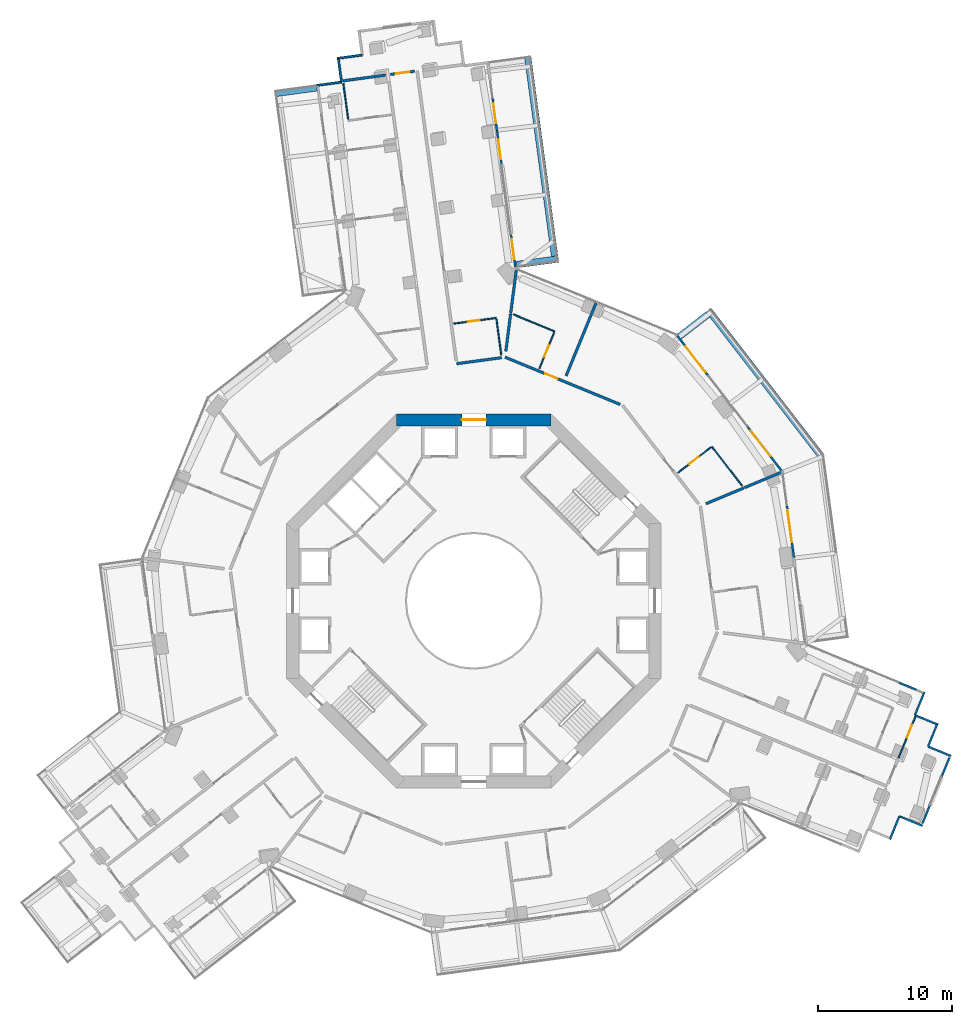
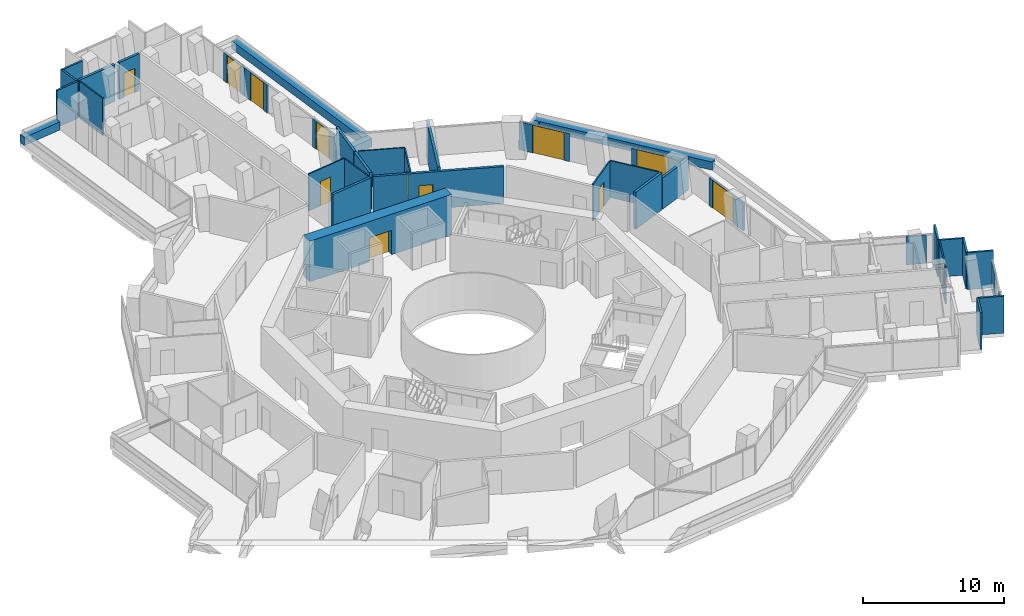
# One storey, part 23 of 27: 41 walls, 13 doors, 13 openings.
"""IFC4 building model written with IfcOpenShell, lengths in metres."""

from ifc_helpers import new_model, si_unit, direction, frame, frame_2d, origin, place, context, subcontext, project, spatial, rectangle, extrude, material, layer, layer_set, type_object, element, fill, save


model = new_model("IFC4")

# Units and contexts
model_context = context("Model", 3, precision=1e-05, world=origin(), true_north=direction((0.0, 1.0)))
body_context = subcontext(model_context, "Body", "Model", "MODEL_VIEW")
ifc_project = project(units=[si_unit("LENGTHUNIT", "METRE"), si_unit("AREAUNIT", "SQUARE_METRE"), si_unit("VOLUMEUNIT", "CUBIC_METRE"), si_unit("PLANEANGLEUNIT", "RADIAN"), si_unit("MASSUNIT", "GRAM", prefix="KILO")], contexts=[model_context])

# Site, building, storey
site_placement = place(None, origin())
site = spatial("IfcSite", under=ifc_project, at=site_placement, CompositionType="ELEMENT")
building_placement = place(site_placement, origin())
building = spatial("IfcBuilding", under=site, at=building_placement, Name="Verdalira Terraces Hotel", CompositionType="ELEMENT")
storey_placement = place(building_placement, frame((0.0, 0.0, 64.5)))
storey = spatial("IfcBuildingStorey", under=building, at=storey_placement, Name="L14", CompositionType="ELEMENT", Elevation=64.5)

# Walls
ifc_material_1 = material(Name="Concrete C40", Category="concrete")
ifc_layer_1 = layer(ifc_material_1, 0.5)
ifc_layer_set_1 = layer_set([ifc_layer_1], Name="Balcony planter trough with tree")
wall_type_1 = type_object("IfcWallType", Name="Balcony planter trough with tree", PredefinedType="SOLIDWALL", material=ifc_layer_set_1)
wall_1_placement = place(storey_placement, frame((-11.73877, 38.405029, 0.0), z_axis=(0.0, 0.0, 1.0), x_axis=(-0.991031531, -0.133628231, 0.0)))
element("IfcWall", 1, at=wall_1_placement, inside=storey, type_object=wall_type_1, Name="Balcony planter", PredefinedType="SOLIDWALL", context=body_context, shape_type="SweptSolid", body=[
    extrude(rectangle(XDim=3.199219, YDim=0.5, at=frame_2d((1.599609, 0.0))), origin(), (0.0, 0.0, 1.0), 0.699951),
])
wall_2_placement = place(storey_placement, frame((25.948975, 10.914307, 0.0), z_axis=(0.0, 0.0, 1.0), x_axis=(-0.611254575, 0.791434043, 0.0)))
element("IfcWall", 2, at=wall_2_placement, inside=storey, type_object=wall_type_1, Name="Balcony planter", PredefinedType="SOLIDWALL", context=body_context, shape_type="SweptSolid", body=[
    extrude(rectangle(XDim=13.723389, YDim=0.5, at=frame_2d((6.861816, 0.0))), origin(), (0.0, 0.0, 1.0), 0.699951),
])
wall_3_placement = place(storey_placement, frame((17.515381, 21.424805, 0.0), z_axis=(0.0, 0.0, 1.0), x_axis=(-0.791398379, -0.611300748, 0.0)))
element("IfcWall", 3, at=wall_3_placement, inside=storey, type_object=wall_type_1, Name="Balcony planter", PredefinedType="SOLIDWALL", context=body_context, shape_type="SweptSolid", body=[
    extrude(rectangle(XDim=2.698975, YDim=0.5, at=frame_2d((1.349609, 0.0))), origin(), (0.0, 0.0, 1.0), 0.699951),
])
wall_4_placement = place(storey_placement, frame((3.16748, 25.157227, 0.0), z_axis=(0.0, 0.0, 1.0), x_axis=(0.991030168, 0.133638338, 0.0)))
element("IfcWall", 4, at=wall_4_placement, inside=storey, type_object=wall_type_1, Name="Balcony planter", PredefinedType="SOLIDWALL", context=body_context, shape_type="SweptSolid", body=[
    extrude(rectangle(XDim=3.198975, YDim=0.5, at=frame_2d((1.599609, 0.0))), origin(), (0.0, 0.0, 1.0), 0.699951),
])
wall_5_placement = place(storey_placement, frame((6.056641, 25.799072, 0.0), z_axis=(0.0, 0.0, 1.0), x_axis=(-0.133654764, 0.991027953, 0.0)))
element("IfcWall", 5, at=wall_5_placement, inside=storey, type_object=wall_type_1, Name="Balcony planter", PredefinedType="SOLIDWALL", context=body_context, shape_type="SweptSolid", body=[
    extrude(rectangle(XDim=15.121094, YDim=0.5, at=frame_2d((7.560547, 0.0))), origin(), (0.0, 0.0, 1.0), 0.699951),
])
ifc_material_2 = material(Name="Moisture-resistant gypsum board partition")
ifc_layer_2 = layer(ifc_material_2, 0.10009765625)
ifc_layer_set_2 = layer_set([ifc_layer_2], Name="Bathroom partition 100 mm")
wall_type_2 = type_object("IfcWallType", Name="Bathroom partition 100 mm", PredefinedType="PARTITIONING", material=ifc_layer_set_2)
wall_6_placement = place(storey_placement, frame((-9.762451, 38.721924, 0.0), z_axis=(0.0, 0.0, 1.0), x_axis=(0.133644289, -0.991029366, 0.0)))
element("IfcWall", 6, at=wall_6_placement, inside=storey, type_object=wall_type_2, Name="Bathroom partition", PredefinedType="PARTITIONING", context=body_context, shape_type="SweptSolid", body=[
    extrude(rectangle(XDim=2.699951, YDim=0.100098, at=frame_2d((1.350098, 0.0))), origin(), (0.0, 0.0, 1.0), 3.189941),
])

# Wall, opening, door
wall_7_placement = place(storey_placement, frame((1.685547, 21.173584, 0.0), z_axis=(0.0, 0.0, 1.0), x_axis=(-0.991026877, -0.133662747, 0.0)))
wall_7 = element("IfcWall", 7, at=wall_7_placement, inside=storey, type_object=wall_type_2, Name="Bathroom partition", PredefinedType="PARTITIONING", context=body_context, shape_type="SweptSolid", body=[
    extrude(rectangle(XDim=3.200195, YDim=0.100098, at=frame_2d((1.600098, 0.0))), origin(), (0.0, 0.0, 1.0), 3.189941),
])
opening_1_placement = place(wall_7_placement, frame((1.25, 0.0, 0.0)))
opening_1 = element("IfcOpeningElement", 8, at=opening_1_placement, cuts=wall_7, Name="Opening L14-102", PredefinedType="OPENING", context=body_context, shape_type="SweptSolid", body=[
    extrude(rectangle(XDim=0.899902, YDim=2.100098, at=frame_2d((0.449951, 1.050049))), frame((0.0, 0.060059, 0.0), z_axis=(0.0, -1.0, 0.0), x_axis=(1.0, 0.0, 0.0)), (0.0, 0.0, 1.0), 0.120117),
])
ifc_material_3 = material(Name="Timber door", Category="wood")
door_type_1 = type_object("IfcDoorType", Name="Bathroom door 900 x 2100", OperationType="NOTDEFINED", PredefinedType="DOOR", material=ifc_material_3)
door_1_placement = place(opening_1_placement, origin())
door_1 = element("IfcDoor", 9, at=door_1_placement, inside=storey, type_object=door_type_1, Name="Bathroom door 1401", OperationType="SINGLE_SWING_LEFT", OverallHeight=2.10009765625, OverallWidth=0.89990234375, PredefinedType="DOOR", context=body_context, shape_type="SweptSolid", body=[
    extrude(rectangle(XDim=0.899902, YDim=2.100098, at=frame_2d((0.449951, 1.050049))), frame((0.0, 0.024902, 0.0), z_axis=(0.0, -1.0, 0.0), x_axis=(1.0, 0.0, 0.0)), (0.0, 0.0, 1.0), 0.050049),
])
fill(opening_1, door_1)

# Walls
wall_8_placement = place(storey_placement, frame((1.69873, 21.074463, 0.0), z_axis=(0.0, 0.0, 1.0), x_axis=(0.133733094, -0.991017386, 0.0)))
element("IfcWall", 10, at=wall_8_placement, inside=storey, type_object=wall_type_2, Name="Bathroom partition", PredefinedType="PARTITIONING", context=body_context, shape_type="SweptSolid", body=[
    extrude(rectangle(XDim=2.699951, YDim=0.100098, at=frame_2d((1.350098, 0.0))), origin(), (0.0, 0.0, 1.0), 3.189941),
])
wall_9_placement = place(storey_placement, frame((2.956055, 21.442139, 0.0), z_axis=(0.0, 0.0, 1.0), x_axis=(0.925097084, -0.379730674, 0.0)))
element("IfcWall", 11, at=wall_9_placement, inside=storey, type_object=wall_type_2, Name="Bathroom partition", PredefinedType="PARTITIONING", context=body_context, shape_type="SweptSolid", body=[
    extrude(rectangle(XDim=3.350342, YDim=0.100098, at=frame_2d((1.675293, 0.0))), origin(), (0.0, 0.0, 1.0), 3.189941),
])

# Wall, opening, door
wall_10_placement = place(storey_placement, frame((4.916016, 17.394531, 0.0), z_axis=(0.0, 0.0, 1.0), x_axis=(0.379750343, 0.92508901, 0.0)))
wall_10 = element("IfcWall", 12, at=wall_10_placement, inside=storey, type_object=wall_type_2, Name="Bathroom partition", PredefinedType="PARTITIONING", context=body_context, shape_type="SweptSolid", body=[
    extrude(rectangle(XDim=2.900146, YDim=0.100098, at=frame_2d((1.450195, 0.0))), origin(), (0.0, 0.0, 1.0), 3.189941),
])
opening_2_placement = place(wall_10_placement, frame((0.949951, 0.0, 0.0)))
opening_2 = element("IfcOpeningElement", 13, at=opening_2_placement, cuts=wall_10, Name="Opening L14-137", PredefinedType="OPENING", context=body_context, shape_type="SweptSolid", body=[
    extrude(rectangle(XDim=0.899902, YDim=2.100098, at=frame_2d((0.449951, 1.050049))), frame((0.0, 0.060059, 0.0), z_axis=(0.0, -1.0, 0.0), x_axis=(1.0, 0.0, 0.0)), (0.0, 0.0, 1.0), 0.120117),
])
door_2_placement = place(opening_2_placement, origin())
door_2 = element("IfcDoor", 14, at=door_2_placement, inside=storey, type_object=door_type_1, Name="Bathroom door 1416", OperationType="SINGLE_SWING_RIGHT", OverallHeight=2.10009765625, OverallWidth=0.89990234375, PredefinedType="DOOR", context=body_context, shape_type="SweptSolid", body=[
    extrude(rectangle(XDim=0.899902, YDim=2.100098, at=frame_2d((0.449951, 1.050049))), frame((0.0, 0.024902, 0.0), z_axis=(0.0, -1.0, 0.0), x_axis=(1.0, 0.0, 0.0)), (0.0, 0.0, 1.0), 0.050049),
])
fill(opening_2, door_2)

wall_11_placement = place(storey_placement, frame((17.741211, 11.480225, 0.0), z_axis=(0.0, 0.0, 1.0), x_axis=(-0.791472017, -0.611205405, 0.0)))
wall_11 = element("IfcWall", 15, at=wall_11_placement, inside=storey, type_object=wall_type_2, Name="Bathroom partition", PredefinedType="PARTITIONING", context=body_context, shape_type="SweptSolid", body=[
    extrude(rectangle(XDim=3.100098, YDim=0.100098, at=frame_2d((1.550049, 0.0))), origin(), (0.0, 0.0, 1.0), 3.189941),
])
opening_3_placement = place(wall_11_placement, frame((1.149902, 0.0, 0.0)))
opening_3 = element("IfcOpeningElement", 16, at=opening_3_placement, cuts=wall_11, Name="Opening L14-135", PredefinedType="OPENING", context=body_context, shape_type="SweptSolid", body=[
    extrude(rectangle(XDim=0.899902, YDim=2.100098, at=frame_2d((0.449951, 1.050049))), frame((0.0, 0.060059, 0.0), z_axis=(0.0, -1.0, 0.0), x_axis=(1.0, 0.0, 0.0)), (0.0, 0.0, 1.0), 0.120117),
])
door_3_placement = place(opening_3_placement, origin())
door_3 = element("IfcDoor", 17, at=door_3_placement, inside=storey, type_object=door_type_1, Name="Bathroom door 1415", OperationType="SINGLE_SWING_LEFT", OverallHeight=2.10009765625, OverallWidth=0.89990234375, PredefinedType="DOOR", context=body_context, shape_type="SweptSolid", body=[
    extrude(rectangle(XDim=0.899902, YDim=2.100098, at=frame_2d((0.449951, 1.050049))), frame((0.0, 0.024902, 0.0), z_axis=(0.0, -1.0, 0.0), x_axis=(1.0, 0.0, 0.0)), (0.0, 0.0, 1.0), 0.050049),
])
fill(opening_3, door_3)

# Wall
wall_12_placement = place(storey_placement, frame((17.820312, 11.541504, 0.0), z_axis=(0.0, 0.0, 1.0), x_axis=(0.611235492, -0.791448781, 0.0)))
element("IfcWall", 18, at=wall_12_placement, inside=storey, type_object=wall_type_2, Name="Bathroom partition", PredefinedType="PARTITIONING", context=body_context, shape_type="SweptSolid", body=[
    extrude(rectangle(XDim=3.703857, YDim=0.100098, at=frame_2d((1.852051, 0.0))), origin(), (0.0, 0.0, 1.0), 3.189941),
])

# Wall, opening, door
wall_13_placement = place(storey_placement, frame((31.796631, -11.756592, 0.0), z_axis=(0.0, 0.0, 1.0), x_axis=(0.379764155, 0.92508334, 0.0)))
wall_13 = element("IfcWall", 19, at=wall_13_placement, inside=storey, type_object=wall_type_2, Name="Bathroom partition", PredefinedType="PARTITIONING", context=body_context, shape_type="SweptSolid", body=[
    extrude(rectangle(XDim=3.352051, YDim=0.100098, at=frame_2d((1.676025, 0.0))), origin(), (0.0, 0.0, 1.0), 3.189941),
])
opening_4_placement = place(wall_13_placement, frame((1.649902, 0.0, 0.0)))
opening_4 = element("IfcOpeningElement", 20, at=opening_4_placement, cuts=wall_13, Name="Opening L14-128", PredefinedType="OPENING", context=body_context, shape_type="SweptSolid", body=[
    extrude(rectangle(XDim=1.0, YDim=2.100098, at=frame_2d((0.5, 1.050049))), frame((0.0, 0.060059, 0.0), z_axis=(0.0, -1.0, 0.0), x_axis=(1.0, 0.0, 0.0)), (0.0, 0.0, 1.0), 0.120117),
])
ifc_material_4 = material(Name="Timber door", Category="wood")
door_type_2 = type_object("IfcDoorType", Name="Suite internal door 1000 x 2100", OperationType="NOTDEFINED", PredefinedType="DOOR", material=ifc_material_4)
door_4_placement = place(opening_4_placement, origin())
door_4 = element("IfcDoor", 21, at=door_4_placement, inside=storey, type_object=door_type_2, Name="Suite internal door 1412", OperationType="SINGLE_SWING_LEFT", OverallHeight=2.10009765625, OverallWidth=1.0, PredefinedType="DOOR", context=body_context, shape_type="SweptSolid", body=[
    extrude(rectangle(XDim=1.0, YDim=2.100098, at=frame_2d((0.5, 1.050049))), frame((0.0, 0.024902, 0.0), z_axis=(0.0, -1.0, 0.0), x_axis=(1.0, 0.0, 0.0)), (0.0, 0.0, 1.0), 0.050049),
])
fill(opening_4, door_4)

ifc_material_5 = material(Name="Concrete C70", Category="concrete")
ifc_layer_3 = layer(ifc_material_5, 0.89990234375)
ifc_layer_set_3 = layer_set([ifc_layer_3], Name="Core wall 900 C70")
wall_type_3 = type_object("IfcWallType", Name="Core wall 900 C70", PredefinedType="SHEAR", material=ifc_layer_set_3)
wall_14_placement = place(storey_placement, frame((5.799072, 13.550049, 0.0), z_axis=(0.0, 0.0, 1.0), x_axis=(-1.0, 0.0, 0.0)))
wall_14 = element("IfcWall", 22, at=wall_14_placement, inside=storey, type_object=wall_type_3, Name="Core wall CW-L14-3", PredefinedType="SHEAR", context=body_context, shape_type="SweptSolid", body=[
    extrude(rectangle(XDim=11.598145, YDim=0.899902, at=frame_2d((5.799072, 0.0))), origin(), (0.0, 0.0, 1.0), 3.5),
])
opening_5_placement = place(wall_14_placement, frame((4.898926, 0.0, 0.0)))
opening_5 = element("IfcOpeningElement", 23, at=opening_5_placement, cuts=wall_14, Name="Opening L14-813", PredefinedType="OPENING", context=body_context, shape_type="SweptSolid", body=[
    extrude(rectangle(XDim=1.800049, YDim=2.100098, at=frame_2d((0.899902, 1.050049))), frame((0.0, 0.459961, 0.0), z_axis=(0.0, -1.0, 0.0), x_axis=(1.0, 0.0, 0.0)), (0.0, 0.0, 1.0), 0.919922),
])
ifc_material_6 = material(Name="Steel fire door", Category="steel")
door_type_3 = type_object("IfcDoorType", Name="Core entry door pair 1800 x 2100", OperationType="NOTDEFINED", PredefinedType="DOOR", material=ifc_material_6)
door_5_placement = place(opening_5_placement, origin())
door_5 = element("IfcDoor", 24, at=door_5_placement, inside=storey, type_object=door_type_3, Name="Core entry door L14 2", OperationType="DOUBLE_DOOR_SINGLE_SWING", OverallHeight=2.10009765625, OverallWidth=1.800048828125, PredefinedType="DOOR", context=body_context, shape_type="SweptSolid", body=[
    extrude(rectangle(XDim=1.800049, YDim=2.100098, at=frame_2d((0.899902, 1.050049))), frame((0.0, 0.024902, 0.0), z_axis=(0.0, -1.0, 0.0), x_axis=(1.0, 0.0, 0.0)), (0.0, 0.0, 1.0), 0.050049),
])
fill(opening_5, door_5)

# Walls
ifc_material_7 = material(Name="Fire-rated gypsum board wall")
ifc_layer_4 = layer(ifc_material_7, 0.199951171875)
ifc_layer_set_4 = layer_set([ifc_layer_4], Name="Demising wall 200 mm")
wall_type_4 = type_object("IfcWallType", Name="Demising wall 200 mm", PredefinedType="SOLIDWALL", material=ifc_layer_set_4)
wall_15_placement = place(storey_placement, frame((-6.615723, 39.348145, 0.0), z_axis=(0.0, 0.0, 1.0), x_axis=(-0.991028471, -0.133650926, 0.0)))
element("IfcWall", 25, at=wall_15_placement, inside=storey, type_object=wall_type_4, Name="Demising wall", PredefinedType="SOLIDWALL", context=body_context, shape_type="SweptSolid", body=[
    extrude(rectangle(XDim=3.204102, YDim=0.199951, at=frame_2d((1.602051, 0.0))), origin(), (0.0, 0.0, 1.0), 3.189941),
])
wall_16_placement = place(storey_placement, frame((2.758301, 21.473145, 0.0), z_axis=(0.0, 0.0, 1.0), x_axis=(-0.127382912, -0.991853615, 0.0)))
element("IfcWall", 26, at=wall_16_placement, inside=storey, type_object=wall_type_4, Name="Demising wall", PredefinedType="SOLIDWALL", context=body_context, shape_type="SweptSolid", body=[
    extrude(rectangle(XDim=2.817383, YDim=0.199951, at=frame_2d((1.408691, 0.0))), origin(), (0.0, 0.0, 1.0), 3.189941),
])
wall_17_placement = place(storey_placement, frame((3.180664, 24.760498, 0.0), z_axis=(0.0, 0.0, 1.0), x_axis=(-0.127362175, -0.991856278, 0.0)))
element("IfcWall", 27, at=wall_17_placement, inside=storey, type_object=wall_type_4, Name="Demising wall", PredefinedType="SOLIDWALL", context=body_context, shape_type="SweptSolid", body=[
    extrude(rectangle(XDim=3.268311, YDim=0.199951, at=frame_2d((1.634277, 0.0))), origin(), (0.0, 0.0, 1.0), 3.189941),
])
wall_18_placement = place(storey_placement, frame((6.914062, 16.841553, 0.0), z_axis=(0.0, 0.0, 1.0), x_axis=(0.379776022, 0.925078469, 0.0)))
element("IfcWall", 28, at=wall_18_placement, inside=storey, type_object=wall_type_4, Name="Demising wall", PredefinedType="SOLIDWALL", context=body_context, shape_type="SweptSolid", body=[
    extrude(rectangle(XDim=5.902588, YDim=0.199951, at=frame_2d((2.951172, 0.0))), origin(), (0.0, 0.0, 1.0), 3.189941),
])
wall_19_placement = place(storey_placement, frame((17.375732, 7.26123, 0.0), z_axis=(0.0, 0.0, 1.0), x_axis=(0.922644096, 0.385652528, 0.0)))
element("IfcWall", 29, at=wall_19_placement, inside=storey, type_object=wall_type_4, Name="Demising wall", PredefinedType="SOLIDWALL", context=body_context, shape_type="SweptSolid", body=[
    extrude(rectangle(XDim=3.074707, YDim=0.199951, at=frame_2d((1.537354, 0.0))), origin(), (0.0, 0.0, 1.0), 3.189941),
])
ifc_material_8 = material(Name="Fire-rated gypsum board wall")
ifc_layer_5 = layer(ifc_material_8, 0.199951171875)
ifc_layer_set_5 = layer_set([ifc_layer_5], Name="Demising wall 200 mm to beam soffit")
wall_type_5 = type_object("IfcWallType", Name="Demising wall 200 mm to beam soffit", PredefinedType="SOLIDWALL", material=ifc_layer_set_5)
wall_20_placement = place(storey_placement, frame((20.255127, 8.4646, 0.0), z_axis=(0.0, 0.0, 1.0), x_axis=(0.922675862, 0.385576522, 0.0)))
element("IfcWall", 30, at=wall_20_placement, inside=storey, type_object=wall_type_5, Name="Demising wall", PredefinedType="SOLIDWALL", context=body_context, shape_type="SweptSolid", body=[
    extrude(rectangle(XDim=3.011475, YDim=0.199951, at=frame_2d((1.505859, 0.0))), origin(), (0.0, 0.0, 1.0), 2.689941),
])

# Wall, opening, door
ifc_material_9 = material(Name="Fire-rated gypsum board wall")
ifc_layer_6 = layer(ifc_material_9, 0.199951171875)
ifc_layer_set_6 = layer_set([ifc_layer_6], Name="Guest corridor wall 200 mm")
wall_type_6 = type_object("IfcWallType", Name="Guest corridor wall 200 mm", PredefinedType="SOLIDWALL", material=ifc_layer_set_6)
wall_21_placement = place(storey_placement, frame((-6.223389, 39.400879, 0.0), z_axis=(0.0, 0.0, 1.0), x_axis=(0.991019622, 0.133716523, 0.0)))
wall_21 = element("IfcWall", 31, at=wall_21_placement, inside=storey, type_object=wall_type_6, Name="Guest corridor wall", PredefinedType="SOLIDWALL", context=body_context, shape_type="SweptSolid", body=[
    extrude(rectangle(XDim=1.802002, YDim=0.199951, at=frame_2d((0.900879, 0.0))), origin(), (0.0, 0.0, 1.0), 3.189941),
])
opening_6_placement = place(wall_21_placement, frame((0.399902, 0.0, 0.0)))
opening_6 = element("IfcOpeningElement", 32, at=opening_6_placement, cuts=wall_21, Name="Opening L14-103", PredefinedType="OPENING", context=body_context, shape_type="SweptSolid", body=[
    extrude(rectangle(XDim=1.0, YDim=2.100098, at=frame_2d((0.5, 1.050049))), frame((0.0, 0.109863, 0.0), z_axis=(0.0, -1.0, 0.0), x_axis=(1.0, 0.0, 0.0)), (0.0, 0.0, 1.0), 0.219971),
])
ifc_material_10 = material(Name="Timber door", Category="wood")
door_type_4 = type_object("IfcDoorType", Name="Lounge door 1000 x 2100", OperationType="NOTDEFINED", PredefinedType="DOOR", material=ifc_material_10)
door_6_placement = place(opening_6_placement, origin())
door_6 = element("IfcDoor", 33, at=door_6_placement, inside=storey, type_object=door_type_4, Name="Lounge door 1402", OperationType="SINGLE_SWING_LEFT", OverallHeight=2.10009765625, OverallWidth=1.0, PredefinedType="DOOR", context=body_context, shape_type="SweptSolid", body=[
    extrude(rectangle(XDim=1.0, YDim=2.100098, at=frame_2d((0.5, 1.050049))), frame((0.0, 0.024902, 0.0), z_axis=(0.0, -1.0, 0.0), x_axis=(1.0, 0.0, 0.0)), (0.0, 0.0, 1.0), 0.050049),
])
fill(opening_6, door_6)

# Wall
wall_22_placement = place(storey_placement, frame((2.086426, 18.200439, 0.0), z_axis=(0.0, 0.0, 1.0), x_axis=(-0.99103051, -0.133635807, 0.0)))
element("IfcWall", 34, at=wall_22_placement, inside=storey, type_object=wall_type_6, Name="Guest corridor wall", PredefinedType="SOLIDWALL", context=body_context, shape_type="SweptSolid", body=[
    extrude(rectangle(XDim=3.399902, YDim=0.199951, at=frame_2d((1.699951, 0.0))), origin(), (0.0, 0.0, 1.0), 3.189941),
])

# Wall, opening, door
wall_23_placement = place(storey_placement, frame((2.342285, 18.234863, 0.0), z_axis=(0.0, 0.0, 1.0), x_axis=(0.925090025, -0.37974787, 0.0)))
wall_23 = element("IfcWall", 35, at=wall_23_placement, inside=storey, type_object=wall_type_6, Name="Guest corridor wall", PredefinedType="SOLIDWALL", context=body_context, shape_type="SweptSolid", body=[
    extrude(rectangle(XDim=9.316406, YDim=0.199951, at=frame_2d((4.658203, 0.0))), origin(), (0.0, 0.0, 1.0), 3.189941),
])
opening_7_placement = place(wall_23_placement, frame((3.25, 0.0, 0.0)))
opening_7 = element("IfcOpeningElement", 36, at=opening_7_placement, cuts=wall_23, Name="Opening L14-136", PredefinedType="OPENING", context=body_context, shape_type="SweptSolid", body=[
    extrude(rectangle(XDim=1.0, YDim=2.100098, at=frame_2d((0.5, 1.050049))), frame((0.0, 0.109863, 0.0), z_axis=(0.0, -1.0, 0.0), x_axis=(1.0, 0.0, 0.0)), (0.0, 0.0, 1.0), 0.219971),
])
ifc_material_11 = material(Name="Timber fire door", Category="wood")
door_type_5 = type_object("IfcDoorType", Name="Guest entry door 1000 x 2100", OperationType="NOTDEFINED", PredefinedType="DOOR", material=ifc_material_11)
door_7_placement = place(opening_7_placement, origin())
door_7 = element("IfcDoor", 37, at=door_7_placement, inside=storey, type_object=door_type_5, Name="Guest entry door 1416", OperationType="SINGLE_SWING_RIGHT", OverallHeight=2.10009765625, OverallWidth=1.0, PredefinedType="DOOR", context=body_context, shape_type="SweptSolid", body=[
    extrude(rectangle(XDim=1.0, YDim=2.100098, at=frame_2d((0.5, 1.050049))), frame((0.0, 0.024902, 0.0), z_axis=(0.0, -1.0, 0.0), x_axis=(1.0, 0.0, 0.0)), (0.0, 0.0, 1.0), 0.050049),
])
fill(opening_7, door_7)

# Walls
ifc_material_12 = material(Name="Terracotta cladding", Category="masonry")
ifc_layer_7 = layer(ifc_material_12, 0.14990234375)
ifc_layer_set_7 = layer_set([ifc_layer_7], Name="Terracotta clad wall 150")
wall_type_7 = type_object("IfcWallType", Name="Terracotta clad wall 150", PredefinedType="SOLIDWALL", material=ifc_layer_set_7)
wall_24_placement = place(storey_placement, frame((-8.359619, 40.853516, 0.0), z_axis=(0.0, 0.0, 1.0), x_axis=(-0.99103616, -0.133593899, 0.0)))
element("IfcWall", 38, at=wall_24_placement, inside=storey, type_object=wall_type_7, Name="Terracotta cladding wall", PredefinedType="SOLIDWALL", context=body_context, shape_type="SweptSolid", body=[
    extrude(rectangle(XDim=1.800049, YDim=0.149902, at=frame_2d((0.899902, 0.0))), origin(), (0.0, 0.0, 1.0), 3.189941),
])
for number, where, z_axis, x_axis, name in (
    (39, (-10.153564, 40.687256, 0.0), (0.0, 0.0, 1.0), (0.133596471, -0.991035813, 0.0), "Terracotta cladding wall"),
    (40, (-9.903076, 38.829102, 0.0), (0.0, 0.0, 1.0), (-0.991035813, -0.133596471, 0.0), "Terracotta cladding wall"),
    (41, (31.151855, -17.869629, 0.0), (0.0, 0.0, 1.0), (0.37968209, 0.925117025, 0.0), "Terracotta cladding wall"),
    (42, (31.86377, -16.13501, 0.0), (0.0, 0.0, 1.0), (0.925071286, -0.379793517, 0.0), "Terracotta cladding wall"),
    (43, (35.744141, -11.620605, 0.0), (0.0, 0.0, 1.0), (-0.925071286, 0.379793517, 0.0), "Terracotta cladding wall"),
):
    element("IfcWall", number, at=place(storey_placement, frame(where, z_axis=z_axis, x_axis=x_axis)), inside=storey, type_object=wall_type_7, Name=name, PredefinedType="SOLIDWALL", context=body_context, shape_type="SweptSolid", body=[
        extrude(rectangle(XDim=1.875, YDim=0.149902, at=frame_2d((0.9375, 0.0))), origin(), (0.0, 0.0, 1.0), 3.189941),
    ])
wall_25_placement = place(storey_placement, frame((34.009521, -10.908447, 0.0), z_axis=(0.0, 0.0, 1.0), x_axis=(0.379746847, 0.925090445, 0.0)))
element("IfcWall", 44, at=wall_25_placement, inside=storey, type_object=wall_type_7, Name="Terracotta cladding wall", PredefinedType="SOLIDWALL", context=body_context, shape_type="SweptSolid", body=[
    extrude(rectangle(XDim=1.800049, YDim=0.149902, at=frame_2d((0.899902, 0.0))), origin(), (0.0, 0.0, 1.0), 3.189941),
])
for number, where, z_axis, x_axis, name in (
    (45, (34.762695, -9.271729, 0.0), (0.0, 0.0, 1.0), (-0.925071286, 0.379793517, 0.0), "Terracotta cladding wall"),
    (46, (33.028076, -8.55957, 0.0), (0.0, 0.0, 1.0), (0.379839266, 0.925052502, 0.0), "Terracotta cladding wall"),
):
    element("IfcWall", number, at=place(storey_placement, frame(where, z_axis=z_axis, x_axis=x_axis)), inside=storey, type_object=wall_type_7, Name=name, PredefinedType="SOLIDWALL", context=body_context, shape_type="SweptSolid", body=[
        extrude(rectangle(XDim=1.875, YDim=0.149902, at=frame_2d((0.9375, 0.0))), origin(), (0.0, 0.0, 1.0), 3.189941),
    ])
ifc_material_13 = material(Name="Terracotta cladding", Category="masonry")
ifc_layer_8 = layer(ifc_material_13, 0.14990234375)
ifc_layer_set_8 = layer_set([ifc_layer_8], Name="Terracotta column pier 150")
wall_type_8 = type_object("IfcWallType", Name="Terracotta column pier 150", PredefinedType="SOLIDWALL", material=ifc_layer_set_8)
wall_26_placement = place(storey_placement, frame((33.587891, -16.675293, 0.0), z_axis=(0.0, 0.0, 1.0), x_axis=(0.379726874, 0.925098644, 0.0)))
element("IfcWall", 47, at=wall_26_placement, inside=storey, type_object=wall_type_8, Name="Terracotta column pier", PredefinedType="SOLIDWALL", context=body_context, shape_type="SweptSolid", body=[
    extrude(rectangle(XDim=1.476807, YDim=0.149902, at=frame_2d((0.738281, 0.0))), origin(), (0.0, 0.0, 1.0), 2.425049),
])
wall_27_placement = place(storey_placement, frame((35.015869, -13.197021, 0.0), z_axis=(0.0, 0.0, 1.0), x_axis=(0.379793722, 0.925071202, 0.0)))
element("IfcWall", 48, at=wall_27_placement, inside=storey, type_object=wall_type_8, Name="Terracotta column pier", PredefinedType="SOLIDWALL", context=body_context, shape_type="SweptSolid", body=[
    extrude(rectangle(XDim=1.580078, YDim=0.149902, at=frame_2d((0.790039, 0.0))), origin(), (0.0, 0.0, 1.0), 2.425049),
])
wall_28_placement = place(storey_placement, frame((33.133545, -6.657227, 0.0), z_axis=(0.0, 0.0, 1.0), x_axis=(-0.925093505, 0.379739394, 0.0)))
element("IfcWall", 49, at=wall_28_placement, inside=storey, type_object=wall_type_8, Name="Terracotta column pier", PredefinedType="SOLIDWALL", context=body_context, shape_type="SweptSolid", body=[
    extrude(rectangle(XDim=1.434326, YDim=0.149902, at=frame_2d((0.717285, 0.0))), origin(), (0.0, 0.0, 1.0), 2.425049),
])

# Wall, opening, door
ifc_material_14 = material(Name="Terracotta cladding", Category="masonry")
ifc_layer_9 = layer(ifc_material_14, 0.14990234375)
ifc_layer_set_9 = layer_set([ifc_layer_9], Name="Terracotta door pier 150")
wall_type_9 = type_object("IfcWallType", Name="Terracotta door pier 150", PredefinedType="SOLIDWALL", material=ifc_layer_set_9)
wall_29_placement = place(storey_placement, frame((3.116211, 24.96875, 0.0), z_axis=(0.0, 0.0, 1.0), x_axis=(-0.133684792, 0.991023903, 0.0)))
wall_29 = element("IfcWall", 50, at=wall_29_placement, inside=storey, type_object=wall_type_9, Name="Terracotta door pier", PredefinedType="SOLIDWALL", context=body_context, shape_type="SweptSolid", body=[
    extrude(rectangle(XDim=2.501953, YDim=0.149902, at=frame_2d((1.250977, 0.0))), origin(), (0.0, 0.0, 1.0), 2.425049),
])
opening_8_placement = place(wall_29_placement, frame((0.601807, 0.0, 0.0)))
opening_8 = element("IfcOpeningElement", 51, at=opening_8_placement, cuts=wall_29, Name="Opening L14-B01", PredefinedType="OPENING", context=body_context, shape_type="SweptSolid", body=[
    extrude(rectangle(XDim=1.5, YDim=2.399902, at=frame_2d((0.75, 1.199951))), frame((0.0, 0.084961, 0.0), z_axis=(0.0, -1.0, 0.0), x_axis=(1.0, 0.0, 0.0)), (0.0, 0.0, 1.0), 0.169922),
])
ifc_material_15 = material(Name="Clear glass", Category="glass")
door_type_6 = type_object("IfcDoorType", Name="Balcony sliding door 1500x2400", OperationType="NOTDEFINED", PredefinedType="DOOR", material=ifc_material_15)
door_8_placement = place(opening_8_placement, origin())
door_8 = element("IfcDoor", 52, at=door_8_placement, inside=storey, type_object=door_type_6, Name="Balcony sliding door", OperationType="SLIDING_TO_LEFT", OverallHeight=2.39990234375, OverallWidth=1.5, PredefinedType="DOOR", context=body_context, shape_type="SweptSolid", body=[
    extrude(rectangle(XDim=1.5, YDim=2.399902, at=frame_2d((0.75, 1.199951))), frame((0.0, 0.024902, 0.0), z_axis=(0.0, -1.0, 0.0), x_axis=(1.0, 0.0, 0.0)), (0.0, 0.0, 1.0), 0.050049),
])
fill(opening_8, door_8)

wall_30_placement = place(storey_placement, frame((2.080811, 32.64624, 0.0), z_axis=(0.0, 0.0, 1.0), x_axis=(-0.133678356, 0.991024771, 0.0)))
wall_30 = element("IfcWall", 53, at=wall_30_placement, inside=storey, type_object=wall_type_9, Name="Terracotta door pier", PredefinedType="SOLIDWALL", context=body_context, shape_type="SweptSolid", body=[
    extrude(rectangle(XDim=2.596924, YDim=0.149902, at=frame_2d((1.29834, 0.0))), origin(), (0.0, 0.0, 1.0), 2.425049),
])
opening_9_placement = place(wall_30_placement, frame((0.399902, 0.0, 0.0)))
opening_9 = element("IfcOpeningElement", 54, at=opening_9_placement, cuts=wall_30, Name="Opening L14-B02", PredefinedType="OPENING", context=body_context, shape_type="SweptSolid", body=[
    extrude(rectangle(XDim=1.5, YDim=2.399902, at=frame_2d((0.75, 1.199951))), frame((0.0, 0.084961, 0.0), z_axis=(0.0, -1.0, 0.0), x_axis=(1.0, 0.0, 0.0)), (0.0, 0.0, 1.0), 0.169922),
])
door_9_placement = place(opening_9_placement, origin())
door_9 = element("IfcDoor", 55, at=door_9_placement, inside=storey, type_object=door_type_6, Name="Balcony sliding door", OperationType="SLIDING_TO_RIGHT", OverallHeight=2.39990234375, OverallWidth=1.5, PredefinedType="DOOR", context=body_context, shape_type="SweptSolid", body=[
    extrude(rectangle(XDim=1.5, YDim=2.399902, at=frame_2d((0.75, 1.199951))), frame((0.0, 0.024902, 0.0), z_axis=(0.0, -1.0, 0.0), x_axis=(1.0, 0.0, 0.0)), (0.0, 0.0, 1.0), 0.050049),
])
fill(opening_9, door_9)

wall_31_placement = place(storey_placement, frame((1.733643, 35.219971, 0.0), z_axis=(0.0, 0.0, 1.0), x_axis=(-0.133632233, 0.991030992, 0.0)))
wall_31 = element("IfcWall", 56, at=wall_31_placement, inside=storey, type_object=wall_type_9, Name="Terracotta door pier", PredefinedType="SOLIDWALL", context=body_context, shape_type="SweptSolid", body=[
    extrude(rectangle(XDim=2.449951, YDim=0.149902, at=frame_2d((1.225098, 0.0))), origin(), (0.0, 0.0, 1.0), 2.425049),
])
opening_10_placement = place(wall_31_placement, frame((0.550049, 0.0, 0.0)))
opening_10 = element("IfcOpeningElement", 57, at=opening_10_placement, cuts=wall_31, Name="Opening L14-B03", PredefinedType="OPENING", context=body_context, shape_type="SweptSolid", body=[
    extrude(rectangle(XDim=1.5, YDim=2.399902, at=frame_2d((0.75, 1.199951))), frame((0.0, 0.084961, 0.0), z_axis=(0.0, -1.0, 0.0), x_axis=(1.0, 0.0, 0.0)), (0.0, 0.0, 1.0), 0.169922),
])
door_10_placement = place(opening_10_placement, origin())
door_10 = element("IfcDoor", 58, at=door_10_placement, inside=storey, type_object=door_type_6, Name="Balcony sliding door", OperationType="SLIDING_TO_LEFT", OverallHeight=2.39990234375, OverallWidth=1.5, PredefinedType="DOOR", context=body_context, shape_type="SweptSolid", body=[
    extrude(rectangle(XDim=1.5, YDim=2.399902, at=frame_2d((0.75, 1.199951))), frame((0.0, 0.024902, 0.0), z_axis=(0.0, -1.0, 0.0), x_axis=(1.0, 0.0, 0.0)), (0.0, 0.0, 1.0), 0.050049),
])
fill(opening_10, door_10)

wall_32_placement = place(storey_placement, frame((23.966309, 3.231934, 0.0), z_axis=(0.0, 0.0, 1.0), x_axis=(-0.133649548, 0.991028657, 0.0)))
wall_32 = element("IfcWall", 59, at=wall_32_placement, inside=storey, type_object=wall_type_9, Name="Terracotta door pier", PredefinedType="SOLIDWALL", context=body_context, shape_type="SweptSolid", body=[
    extrude(rectangle(XDim=3.960449, YDim=0.149902, at=frame_2d((1.980225, 0.0))), origin(), (0.0, 0.0, 1.0), 2.425049),
])
opening_11_placement = place(wall_32_placement, frame((1.1604, 0.0, 0.0)))
opening_11 = element("IfcOpeningElement", 60, at=opening_11_placement, cuts=wall_32, Name="Opening L14-B19", PredefinedType="OPENING", context=body_context, shape_type="SweptSolid", body=[
    extrude(rectangle(XDim=2.399902, YDim=2.399902, at=frame_2d((1.199951, 1.199951))), frame((0.0, 0.084961, 0.0), z_axis=(0.0, -1.0, 0.0), x_axis=(1.0, 0.0, 0.0)), (0.0, 0.0, 1.0), 0.169922),
])
ifc_material_16 = material(Name="Clear glass", Category="glass")
door_type_7 = type_object("IfcDoorType", Name="Balcony sliding door 2400x2400", OperationType="NOTDEFINED", PredefinedType="DOOR", material=ifc_material_16)
door_11_placement = place(opening_11_placement, origin())
door_11 = element("IfcDoor", 61, at=door_11_placement, inside=storey, type_object=door_type_7, Name="Balcony sliding door", OperationType="SLIDING_TO_LEFT", OverallHeight=2.39990234375, OverallWidth=2.39990234375, PredefinedType="DOOR", context=body_context, shape_type="SweptSolid", body=[
    extrude(rectangle(XDim=2.399902, YDim=2.399902, at=frame_2d((1.199951, 1.199951))), frame((0.0, 0.024902, 0.0), z_axis=(0.0, -1.0, 0.0), x_axis=(1.0, 0.0, 0.0)), (0.0, 0.0, 1.0), 0.050049),
])
fill(opening_11, door_11)

wall_33_placement = place(storey_placement, frame((23.051514, 9.717041, 0.0), z_axis=(0.0, 0.0, 1.0), x_axis=(-0.611243928, 0.791442266, 0.0)))
wall_33 = element("IfcWall", 62, at=wall_33_placement, inside=storey, type_object=wall_type_9, Name="Terracotta door pier", PredefinedType="SOLIDWALL", context=body_context, shape_type="SweptSolid", body=[
    extrude(rectangle(XDim=4.19873, YDim=0.149902, at=frame_2d((2.099365, 0.0))), origin(), (0.0, 0.0, 1.0), 2.425049),
])
opening_12_placement = place(wall_33_placement, frame((1.398682, 0.0, 0.0)))
opening_12 = element("IfcOpeningElement", 63, at=opening_12_placement, cuts=wall_33, Name="Opening L14-B20", PredefinedType="OPENING", context=body_context, shape_type="SweptSolid", body=[
    extrude(rectangle(XDim=2.399902, YDim=2.399902, at=frame_2d((1.199951, 1.199951))), frame((0.0, 0.084961, 0.0), z_axis=(0.0, -1.0, 0.0), x_axis=(1.0, 0.0, 0.0)), (0.0, 0.0, 1.0), 0.169922),
])
door_12_placement = place(opening_12_placement, origin())
door_12 = element("IfcDoor", 64, at=door_12_placement, inside=storey, type_object=door_type_7, Name="Balcony sliding door", OperationType="SLIDING_TO_LEFT", OverallHeight=2.39990234375, OverallWidth=2.39990234375, PredefinedType="DOOR", context=body_context, shape_type="SweptSolid", body=[
    extrude(rectangle(XDim=2.399902, YDim=2.399902, at=frame_2d((1.199951, 1.199951))), frame((0.0, 0.024902, 0.0), z_axis=(0.0, -1.0, 0.0), x_axis=(1.0, 0.0, 0.0)), (0.0, 0.0, 1.0), 0.050049),
])
fill(opening_12, door_12)

wall_34_placement = place(storey_placement, frame((17.575928, 16.806641, 0.0), z_axis=(0.0, 0.0, 1.0), x_axis=(-0.611226819, 0.791455479, 0.0)))
wall_34 = element("IfcWall", 65, at=wall_34_placement, inside=storey, type_object=wall_type_9, Name="Terracotta door pier", PredefinedType="SOLIDWALL", context=body_context, shape_type="SweptSolid", body=[
    extrude(rectangle(XDim=3.841797, YDim=0.149902, at=frame_2d((1.920898, 0.0))), origin(), (0.0, 0.0, 1.0), 2.425049),
])
opening_13_placement = place(wall_34_placement, frame((0.399902, 0.0, 0.0)))
opening_13 = element("IfcOpeningElement", 66, at=opening_13_placement, cuts=wall_34, Name="Opening L14-B21", PredefinedType="OPENING", context=body_context, shape_type="SweptSolid", body=[
    extrude(rectangle(XDim=2.399902, YDim=2.399902, at=frame_2d((1.199951, 1.199951))), frame((0.0, 0.084961, 0.0), z_axis=(0.0, -1.0, 0.0), x_axis=(1.0, 0.0, 0.0)), (0.0, 0.0, 1.0), 0.169922),
])
door_13_placement = place(opening_13_placement, origin())
door_13 = element("IfcDoor", 67, at=door_13_placement, inside=storey, type_object=door_type_7, Name="Balcony sliding door", OperationType="SLIDING_TO_RIGHT", OverallHeight=2.39990234375, OverallWidth=2.39990234375, PredefinedType="DOOR", context=body_context, shape_type="SweptSolid", body=[
    extrude(rectangle(XDim=2.399902, YDim=2.399902, at=frame_2d((1.199951, 1.199951))), frame((0.0, 0.024902, 0.0), z_axis=(0.0, -1.0, 0.0), x_axis=(1.0, 0.0, 0.0)), (0.0, 0.0, 1.0), 0.050049),
])
fill(opening_13, door_13)

save(model, "model.ifc")
